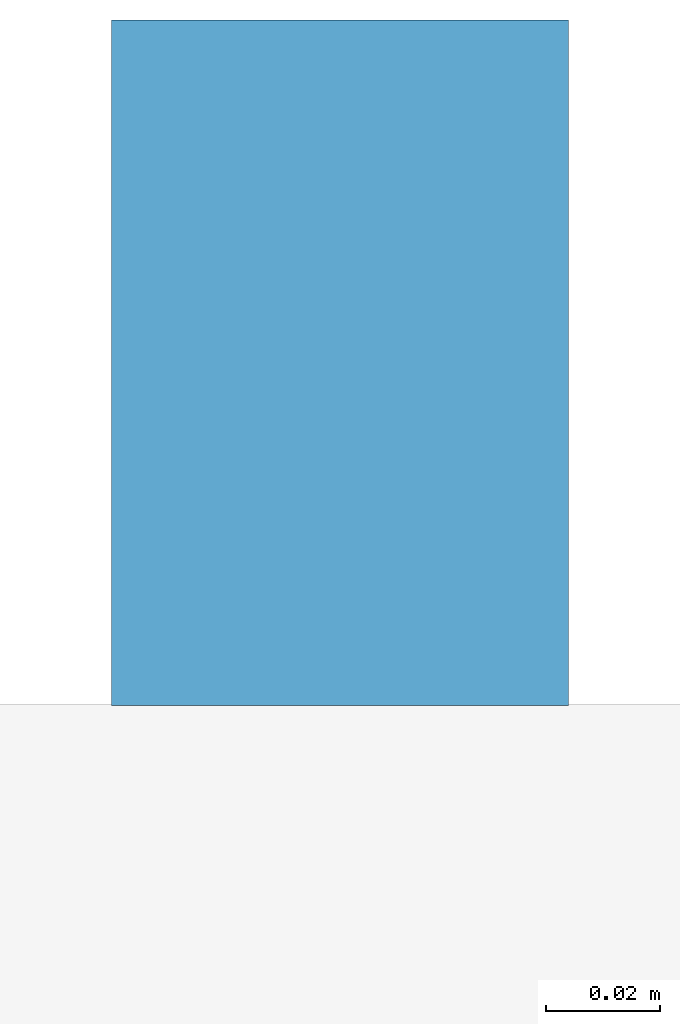
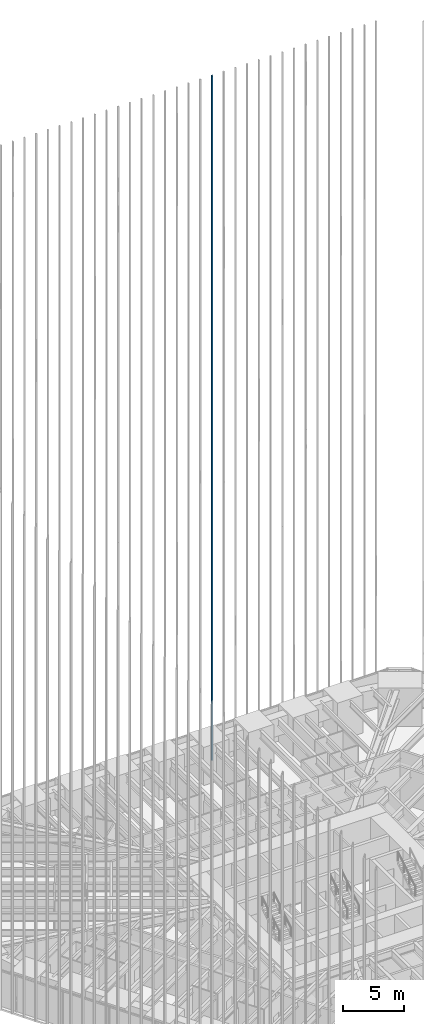
# One storey, part 215 of 256: 1 member, 1 element without a shape of its own.
"""IFC4 building model written with IfcOpenShell, lengths in metres."""

from ifc_helpers import new_model, si_unit, direction, frame, origin, origin_2d, place, context, subcontext, project, spatial, rectangle, extrude, material, material_profile, profile_set, type_object, element, aggregate, save


model = new_model("IFC4")

# Units and contexts
model_context = context("Model", 3, precision=1e-05, world=origin(), true_north=direction((0.0, 1.0)))
body_context = subcontext(model_context, "Body", "Model", "MODEL_VIEW")
ifc_project = project(units=[si_unit("LENGTHUNIT", "METRE"), si_unit("AREAUNIT", "SQUARE_METRE"), si_unit("VOLUMEUNIT", "CUBIC_METRE"), si_unit("PLANEANGLEUNIT", "RADIAN"), si_unit("MASSUNIT", "GRAM", prefix="KILO")], contexts=[model_context])

# Site, building, storey
site_placement = place(None, origin())
site = spatial("IfcSite", under=ifc_project, at=site_placement, CompositionType="ELEMENT")
building_placement = place(site_placement, origin())
building = spatial("IfcBuilding", under=site, at=building_placement, Name="Sandreach Pilgrim Tower", CompositionType="ELEMENT")
storey_placement = place(building_placement, frame((0.0, 0.0, 23.0)))
storey = spatial("IfcBuildingStorey", under=building, at=storey_placement, Name="L04", CompositionType="ELEMENT", Elevation=23.0)

# Curtain wall, member
ifc_material_1 = material(Name="Aluminium framed curtain wall", Category="aluminium")
curtain_wall_type = type_object("IfcCurtainWallType", Name="Hostel tower curtain wall", PredefinedType="NOTDEFINED", material=ifc_material_1)
curtain_wall_placement = place(storey_placement, origin())
curtain_wall = element("IfcCurtainWall", 1, at=curtain_wall_placement, inside=storey, type_object=curtain_wall_type, Name="CW-1 L04 N", PredefinedType="NOTDEFINED")
ifc_material_2 = material(Name="Extruded terracotta on aluminium core", Category="masonry")
ifc_material_profile = material_profile(ifc_material_2, rectangle(XDim=0.080078125, YDim=0.1201171875, at=origin_2d()), Name="TBN 80X120")
ifc_profile_set = profile_set([ifc_material_profile], Name="Extruded terracotta on aluminium core")
member_type = type_object("IfcMemberType", Name="Terracotta baguette north", PredefinedType="USERDEFINED", material=ifc_profile_set)
member_placement = place(storey_placement, frame((3.313232421875, 24.30859375, 0.0), z_axis=(0.0, 0.0, 1.0), x_axis=(1.0, 0.0, 0.0)))
member = element("IfcMember", 2, at=member_placement, type_object=member_type, Name="Baguette Z1 N21", ObjectType="BAGUETTE", PredefinedType="USERDEFINED", context=body_context, shape_type="SweptSolid", body=[
    extrude(rectangle(XDim=0.080078125, YDim=0.1201171875, at=origin_2d()), origin(), (0.0, 0.0, 1.0), 68.239990234375),
])
aggregate(curtain_wall, [member])

save(model, "model.ifc")
